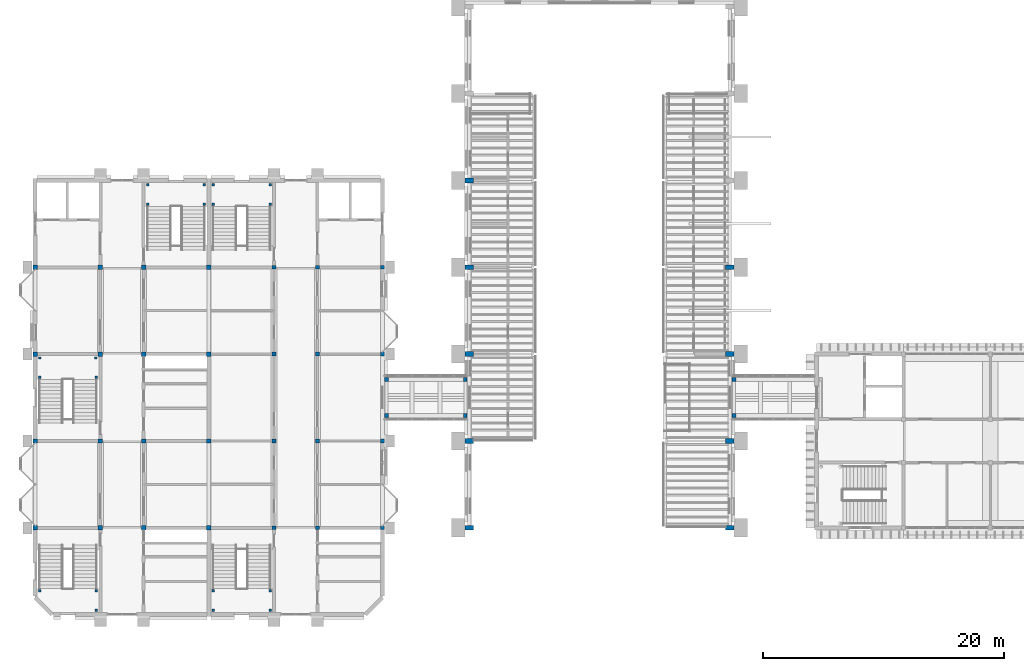
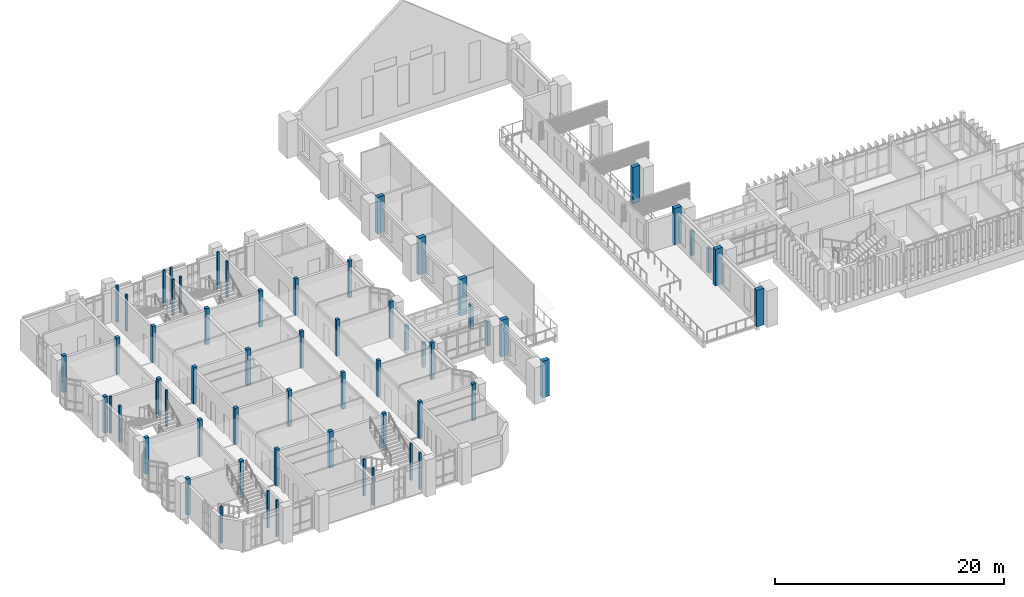
# One storey, part 1 of 69: 62 columns.
"""IFC4 building model written with IfcOpenShell, lengths in metres."""

from ifc_helpers import new_model, si_unit, direction, frame, origin, origin_2d, place, context, subcontext, project, spatial, rectangle, extrude, material, material_profile, profile_set, type_object, element, save


model = new_model("IFC4")

# Units and contexts
model_context = context("Model", 3, precision=1e-05, world=origin(), true_north=direction((0.0, 1.0)))
body_context = subcontext(model_context, "Body", "Model", "MODEL_VIEW")
ifc_project = project(units=[si_unit("LENGTHUNIT", "METRE"), si_unit("AREAUNIT", "SQUARE_METRE"), si_unit("VOLUMEUNIT", "CUBIC_METRE"), si_unit("PLANEANGLEUNIT", "RADIAN"), si_unit("MASSUNIT", "GRAM", prefix="KILO")], contexts=[model_context])

# Site, building, storey
site_placement = place(None, origin())
site = spatial("IfcSite", under=ifc_project, at=site_placement, CompositionType="ELEMENT")
building_placement = place(site_placement, origin())
building = spatial("IfcBuilding", under=site, at=building_placement, Name="Mazhai Court Health Centre", CompositionType="ELEMENT")
storey_placement = place(building_placement, frame((0.0, 0.0, 6.300048828125)))
storey = spatial("IfcBuildingStorey", under=building, at=storey_placement, Name="L01", CompositionType="ELEMENT", Elevation=6.300048828125)

# Columns
ifc_material_1 = material(Name="Glulam GL28h", Category="wood")
ifc_material_profile_1 = material_profile(ifc_material_1, rectangle(XDim=0.320068359375, YDim=0.320068359375, at=origin_2d()), Name="GL28h 320x320")
ifc_profile_set_1 = profile_set([ifc_material_profile_1], Name="Glulam GL28h")
column_type_1 = type_object("IfcColumnType", Name="GL28h 320x320 column", PredefinedType="COLUMN", material=ifc_profile_set_1)
for number, where, z_axis, x_axis, name in (
    (1, (26.0, 13.39990234375, 0.0), (0.0, 0.0, 1.0), (1.0, 0.0, 0.0), "col-V5-L01-01-B"),
    (2, (29.60009765625, 13.39990234375, 0.0), (0.0, 0.0, 1.0), (1.0, 0.0, 0.0), "col-V5-L01-01-C"),
    (3, (35.0, 13.39990234375, 0.0), (0.0, 0.0, 1.0), (1.0, 0.0, 0.0), "col-V5-L01-01-D"),
    (4, (26.0, 20.60009765625, 0.0), (0.0, 0.0, 1.0), (1.0, 0.0, 0.0), "col-V5-L01-02-B"),
    (5, (29.60009765625, 20.60009765625, 0.0), (0.0, 0.0, 1.0), (1.0, 0.0, 0.0), "col-V5-L01-02-C"),
    (6, (35.0, 20.60009765625, 0.0), (0.0, 0.0, 1.0), (1.0, 0.0, 0.0), "col-V5-L01-02-D"),
    (7, (26.0, 27.800048828125, 0.0), (0.0, 0.0, 1.0), (1.0, 0.0, 0.0), "col-V5-L01-03-B"),
    (8, (29.60009765625, 27.800048828125, 0.0), (0.0, 0.0, 1.0), (1.0, 0.0, 0.0), "col-V5-L01-03-C"),
    (9, (35.0, 27.800048828125, 0.0), (0.0, 0.0, 1.0), (1.0, 0.0, 0.0), "col-V5-L01-03-D"),
    (10, (26.0, 35.0, 0.0), (0.0, 0.0, 1.0), (1.0, 0.0, 0.0), "col-V5-L01-04-B"),
    (11, (29.60009765625, 35.0, 0.0), (0.0, 0.0, 1.0), (1.0, 0.0, 0.0), "col-V5-L01-04-C"),
    (12, (35.0, 35.0, 0.0), (0.0, 0.0, 1.0), (1.0, 0.0, 0.0), "col-V5-L01-04-D"),
):
    element("IfcColumn", number, at=place(storey_placement, frame(where, z_axis=z_axis, x_axis=x_axis)), inside=storey, type_object=column_type_1, Name=name, PredefinedType="COLUMN", context=body_context, shape_type="SweptSolid", body=[
        extrude(rectangle(XDim=0.320068359375, YDim=0.320068359375, at=origin_2d()), origin(), (0.0, 0.0, 1.0), 3.89990234375),
    ])
for number, where, z_axis, x_axis, name in (
    (13, (64.135009765625, 22.699951171875, -0.1201171875), (0.0, 0.0, 1.0), (1.0, 0.0, 0.0), "post-BR-P2-WS"),
    (14, (64.135009765625, 25.699951171875, -0.1201171875), (0.0, 0.0, 1.0), (1.0, 0.0, 0.0), "post-BR-P2-WN"),
    (15, (35.340087890625, 22.699951171875, -0.1201171875), (0.0, 0.0, 1.0), (1.0, 0.0, 0.0), "post-BR-P1-WS"),
    (16, (35.340087890625, 25.699951171875, -0.1201171875), (0.0, 0.0, 1.0), (1.0, 0.0, 0.0), "post-BR-P1-WN"),
    (17, (41.864990234375, 22.699951171875, -0.1201171875), (0.0, 0.0, 1.0), (1.0, 0.0, 0.0), "post-BR-P1-ES"),
    (18, (41.864990234375, 25.699951171875, -0.1201171875), (0.0, 0.0, 1.0), (1.0, 0.0, 0.0), "post-BR-P1-EN"),
):
    element("IfcColumn", number, at=place(storey_placement, frame(where, z_axis=z_axis, x_axis=x_axis)), inside=storey, type_object=column_type_1, Name=name, PredefinedType="COLUMN", context=body_context, shape_type="SweptSolid", body=[
        extrude(rectangle(XDim=0.320068359375, YDim=0.320068359375, at=origin_2d()), origin(), (0.0, 0.0, 1.0), 2.625),
    ])
ifc_material_2 = material(Name="Glulam GL28h", Category="wood")
ifc_material_profile_2 = material_profile(ifc_material_2, rectangle(XDim=0.360107421875, YDim=0.360107421875, at=origin_2d()), Name="GL28h 360x360")
ifc_profile_set_2 = profile_set([ifc_material_profile_2], Name="Glulam GL28h")
column_type_2 = type_object("IfcColumnType", Name="GL28h 360x360 column", PredefinedType="COLUMN", material=ifc_profile_set_2)
for number, where, z_axis, x_axis, name in (
    (19, (6.199951171875, 13.39990234375, 0.0), (0.0, 0.0, 1.0), (1.0, 0.0, 0.0), "col-V2-L01-01-A"),
    (20, (11.60009765625, 13.39990234375, 0.0), (0.0, 0.0, 1.0), (1.0, 0.0, 0.0), "col-V2-L01-01-B"),
    (21, (15.199951171875, 13.39990234375, 0.0), (0.0, 0.0, 1.0), (1.0, 0.0, 0.0), "col-V2-L01-01-C"),
    (22, (20.60009765625, 13.39990234375, 0.0), (0.0, 0.0, 1.0), (1.0, 0.0, 0.0), "col-V2-L01-01-D"),
    (23, (6.199951171875, 20.60009765625, 0.0), (0.0, 0.0, 1.0), (1.0, 0.0, 0.0), "col-V2-L01-02-A"),
    (24, (11.60009765625, 20.60009765625, 0.0), (0.0, 0.0, 1.0), (1.0, 0.0, 0.0), "col-V2-L01-02-B"),
    (25, (15.199951171875, 20.60009765625, 0.0), (0.0, 0.0, 1.0), (1.0, 0.0, 0.0), "col-V2-L01-02-C"),
    (26, (20.60009765625, 20.60009765625, 0.0), (0.0, 0.0, 1.0), (1.0, 0.0, 0.0), "col-V2-L01-02-D"),
    (27, (6.199951171875, 27.800048828125, 0.0), (0.0, 0.0, 1.0), (1.0, 0.0, 0.0), "col-V2-L01-03-A"),
    (28, (11.60009765625, 27.800048828125, 0.0), (0.0, 0.0, 1.0), (1.0, 0.0, 0.0), "col-V2-L01-03-B"),
    (29, (15.199951171875, 27.800048828125, 0.0), (0.0, 0.0, 1.0), (1.0, 0.0, 0.0), "col-V2-L01-03-C"),
    (30, (20.60009765625, 27.800048828125, 0.0), (0.0, 0.0, 1.0), (1.0, 0.0, 0.0), "col-V2-L01-03-D"),
    (31, (6.199951171875, 35.0, 0.0), (0.0, 0.0, 1.0), (1.0, 0.0, 0.0), "col-V2-L01-04-A"),
    (32, (11.60009765625, 35.0, 0.0), (0.0, 0.0, 1.0), (1.0, 0.0, 0.0), "col-V2-L01-04-B"),
    (33, (15.199951171875, 35.0, 0.0), (0.0, 0.0, 1.0), (1.0, 0.0, 0.0), "col-V2-L01-04-C"),
    (34, (20.60009765625, 35.0, 0.0), (0.0, 0.0, 1.0), (1.0, 0.0, 0.0), "col-V2-L01-04-D"),
):
    element("IfcColumn", number, at=place(storey_placement, frame(where, z_axis=z_axis, x_axis=x_axis)), inside=storey, type_object=column_type_2, Name=name, PredefinedType="COLUMN", context=body_context, shape_type="SweptSolid", body=[
        extrude(rectangle(XDim=0.360107421875, YDim=0.360107421875, at=origin_2d()), origin(), (0.0, 0.0, 1.0), 3.89990234375),
    ])
ifc_material_3 = material(Name="Glulam GL28h", Category="wood")
ifc_material_profile_3 = material_profile(ifc_material_3, rectangle(XDim=0.39990234375, YDim=0.719970703125, at=origin_2d()), Name="GL28h 400x720")
ifc_profile_set_3 = profile_set([ifc_material_profile_3], Name="Glulam GL28h")
column_type_3 = type_object("IfcColumnType", Name="GL28h 400x720 column", PredefinedType="COLUMN", material=ifc_profile_set_3)
for number, where, z_axis, x_axis, name in (
    (35, (42.199951171875, 13.39990234375, 0.0), (0.0, 0.0, 1.0), (0.0, 1.0, 0.0), "col-V1-L01-wW0"),
    (36, (63.800048828125, 13.39990234375, 0.0), (0.0, 0.0, 1.0), (0.0, 1.0, 0.0), "col-V1-L01-wE0"),
    (37, (42.199951171875, 20.60009765625, 0.0), (0.0, 0.0, 1.0), (0.0, 1.0, 0.0), "col-V1-L01-wW1"),
    (38, (63.800048828125, 20.60009765625, 0.0), (0.0, 0.0, 1.0), (0.0, 1.0, 0.0), "col-V1-L01-wE1"),
    (39, (42.199951171875, 27.800048828125, 0.0), (0.0, 0.0, 1.0), (0.0, 1.0, 0.0), "col-V1-L01-wW2"),
    (40, (63.800048828125, 27.800048828125, 0.0), (0.0, 0.0, 1.0), (0.0, 1.0, 0.0), "col-V1-L01-wE2"),
    (41, (42.199951171875, 35.0, 0.0), (0.0, 0.0, 1.0), (0.0, 1.0, 0.0), "col-V1-L01-wW3"),
    (42, (63.800048828125, 35.0, 0.0), (0.0, 0.0, 1.0), (0.0, 1.0, 0.0), "col-V1-L01-wE3"),
    (43, (42.199951171875, 42.199951171875, 0.0), (0.0, 0.0, 1.0), (0.0, 1.0, 0.0), "col-V1-L01-wW4"),
):
    element("IfcColumn", number, at=place(storey_placement, frame(where, z_axis=z_axis, x_axis=x_axis)), inside=storey, type_object=column_type_3, Name=name, PredefinedType="COLUMN", context=body_context, shape_type="SweptSolid", body=[
        extrude(rectangle(XDim=0.39990234375, YDim=0.719970703125, at=origin_2d()), origin(), (0.0, 0.0, 1.0), 3.89990234375),
    ])
ifc_material_4 = material(Name="Concrete M40", Category="concrete")
ifc_material_profile_4 = material_profile(ifc_material_4, rectangle(XDim=0.199951171875, YDim=0.199951171875, at=origin_2d()), Name="RC 200x200")
ifc_profile_set_4 = profile_set([ifc_material_profile_4], Name="Concrete M40")
column_type_4 = type_object("IfcColumnType", Name="RC STAIR LANDING POST 200 M40", PredefinedType="COLUMN", material=ifc_profile_set_4)
for number, where, z_axis, x_axis, name in (
    (44, (11.280029296875, 6.570068359375, 0.0), (0.0, 0.0, 1.0), (1.0, 0.0, 0.0), "post-ST1-03"),
    (45, (6.570068359375, 8.169921875, 0.0), (0.0, 0.0, 1.0), (1.0, 0.0, 0.0), "post-ST1-11"),
    (46, (11.280029296875, 8.169921875, 0.0), (0.0, 0.0, 1.0), (1.0, 0.0, 0.0), "post-ST1-14"),
    (47, (6.570068359375, 27.47998046875, 0.0), (0.0, 0.0, 1.0), (1.0, 0.0, 0.0), "post-ST2-03"),
    (48, (11.22998046875, 27.47998046875, 0.0), (0.0, 0.0, 1.0), (1.0, 0.0, 0.0), "post-ST2-07"),
    (49, (6.570068359375, 25.8798828125, 0.0), (0.0, 0.0, 1.0), (1.0, 0.0, 0.0), "post-ST2-14"),
    (50, (11.280029296875, 25.8798828125, 0.0), (0.0, 0.0, 1.0), (1.0, 0.0, 0.0), "post-ST2-17"),
    (51, (15.52001953125, 41.830078125, 0.0), (0.0, 0.0, 1.0), (1.0, 0.0, 0.0), "post-ST3-03"),
    (52, (20.22998046875, 41.830078125, 0.0), (0.0, 0.0, 1.0), (1.0, 0.0, 0.0), "post-ST3-08"),
    (53, (15.52001953125, 40.22998046875, 0.0), (0.0, 0.0, 1.0), (1.0, 0.0, 0.0), "post-ST3-16"),
    (54, (20.22998046875, 40.22998046875, 0.0), (0.0, 0.0, 1.0), (1.0, 0.0, 0.0), "post-ST3-20"),
    (55, (20.9599609375, 6.570068359375, 0.0), (0.0, 0.0, 1.0), (1.0, 0.0, 0.0), "post-ST4-02"),
    (56, (25.679931640625, 6.570068359375, 0.0), (0.0, 0.0, 1.0), (1.0, 0.0, 0.0), "post-ST4-06"),
    (57, (20.9599609375, 8.169921875, 0.0), (0.0, 0.0, 1.0), (1.0, 0.0, 0.0), "post-ST4-14"),
    (58, (25.679931640625, 8.169921875, 0.0), (0.0, 0.0, 1.0), (1.0, 0.0, 0.0), "post-ST4-17"),
    (59, (20.9599609375, 41.830078125, 0.0), (0.0, 0.0, 1.0), (1.0, 0.0, 0.0), "post-ST5-03"),
    (60, (25.679931640625, 41.830078125, 0.0), (0.0, 0.0, 1.0), (1.0, 0.0, 0.0), "post-ST5-07"),
    (61, (20.9599609375, 40.22998046875, 0.0), (0.0, 0.0, 1.0), (1.0, 0.0, 0.0), "post-ST5-14"),
    (62, (25.679931640625, 40.22998046875, 0.0), (0.0, 0.0, 1.0), (1.0, 0.0, 0.0), "post-ST5-17"),
):
    element("IfcColumn", number, at=place(storey_placement, frame(where, z_axis=z_axis, x_axis=x_axis)), inside=storey, type_object=column_type_4, Name=name, PredefinedType="COLUMN", context=body_context, shape_type="SweptSolid", body=[
        extrude(rectangle(XDim=0.199951171875, YDim=0.199951171875, at=origin_2d()), origin(), (0.0, 0.0, 1.0), 3.89990234375),
    ])

save(model, "model.ifc")
